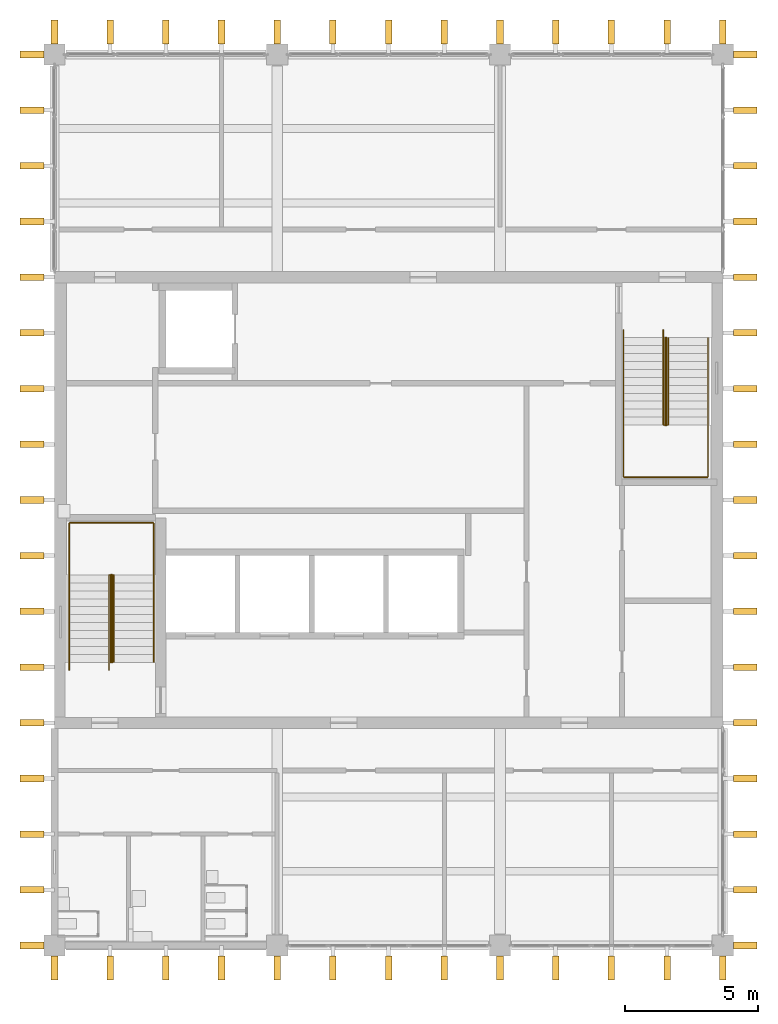
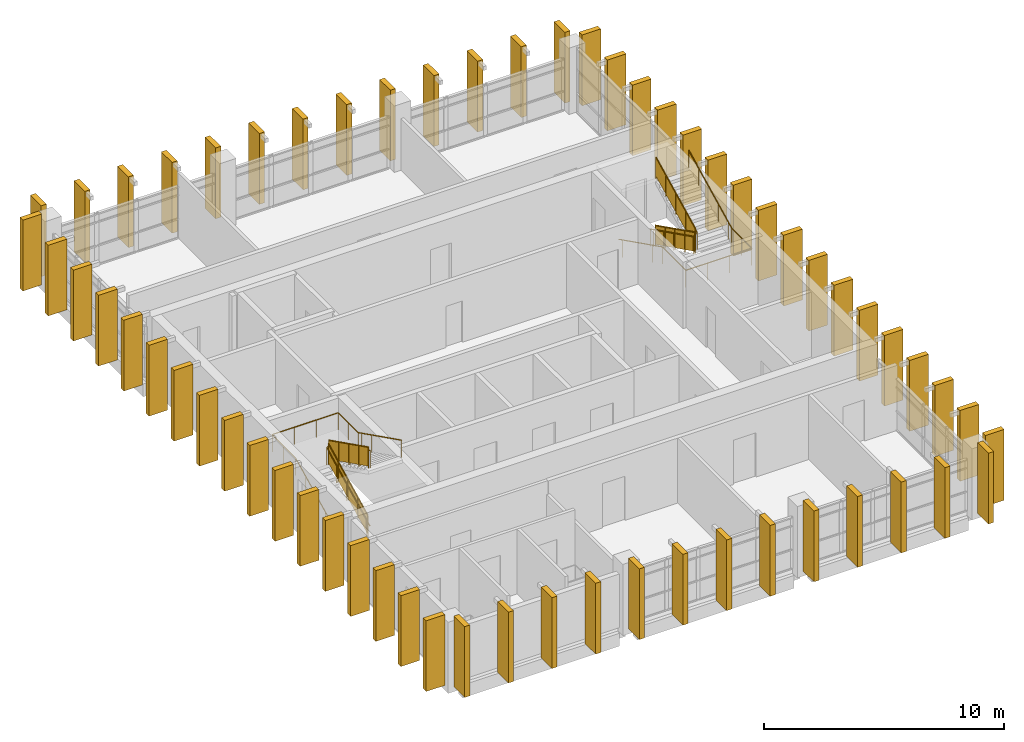
# One storey, part 10 of 11: 60 shading devices, 8 railings.
"""IFC4 building model written with IfcOpenShell, lengths in metres."""

from ifc_helpers import new_model, si_unit, direction, frame, origin, origin_2d, place, context, subcontext, project, spatial, polyline, rectangle, circle, outline, extrude, material, material_profile, profile_set, type_object, element, save


model = new_model("IFC4")

# Units and contexts
model_context = context("Model", 3, precision=1e-05, world=origin(), true_north=direction((0.0, 1.0)))
body_context = subcontext(model_context, "Body", "Model", "MODEL_VIEW")
ifc_project = project(units=[si_unit("LENGTHUNIT", "METRE"), si_unit("AREAUNIT", "SQUARE_METRE"), si_unit("VOLUMEUNIT", "CUBIC_METRE"), si_unit("PLANEANGLEUNIT", "RADIAN"), si_unit("MASSUNIT", "GRAM", prefix="KILO")], contexts=[model_context])

# Site, building, storey
site_placement = place(None, origin())
site = spatial("IfcSite", under=ifc_project, at=site_placement, CompositionType="ELEMENT")
building_placement = place(site_placement, origin())
building = spatial("IfcBuilding", under=site, at=building_placement, Name="Rulbaag Community and Learning Centre", CompositionType="ELEMENT")
storey_placement = place(building_placement, frame((0.0, 0.0, 36.0)))
storey = spatial("IfcBuildingStorey", under=building, at=storey_placement, Name="L09", CompositionType="ELEMENT", Elevation=36.0)

# Shading devices
ifc_material_1 = material(Name="Concrete M40", Category="concrete")
ifc_material_profile = material_profile(ifc_material_1, rectangle(XDim=0.25, YDim=0.89990234375, at=origin_2d()), Name="PC 250x900")
ifc_profile_set = profile_set([ifc_material_profile], Name="Concrete M40")
shading_device_type = type_object("IfcShadingDeviceType", Name="FIN-H", PredefinedType="JALOUSIE", material=ifc_profile_set)
for number, where, z_axis, x_axis, name in (
    (1, (142.800048828125, 83.14990234375, 0.0), (0.0, 0.0, 1.0), (1.0, 0.0, 0.0), "Precast fin"),
    (2, (144.89990234375, 83.14990234375, 0.0), (0.0, 0.0, 1.0), (1.0, 0.0, 0.0), "Precast fin"),
    (3, (147.0, 83.14990234375, 0.0), (0.0, 0.0, 1.0), (1.0, 0.0, 0.0), "Precast fin"),
    (4, (149.10009765625, 83.14990234375, 0.0), (0.0, 0.0, 1.0), (1.0, 0.0, 0.0), "Precast fin"),
    (5, (151.199951171875, 83.14990234375, 0.0), (0.0, 0.0, 1.0), (1.0, 0.0, 0.0), "Precast fin"),
    (6, (153.300048828125, 83.14990234375, 0.0), (0.0, 0.0, 1.0), (1.0, 0.0, 0.0), "Precast fin"),
    (7, (155.39990234375, 83.14990234375, 0.0), (0.0, 0.0, 1.0), (1.0, 0.0, 0.0), "Precast fin"),
    (8, (157.5, 83.14990234375, 0.0), (0.0, 0.0, 1.0), (1.0, 0.0, 0.0), "Precast fin"),
    (9, (159.60009765625, 83.14990234375, 0.0), (0.0, 0.0, 1.0), (1.0, 0.0, 0.0), "Precast fin"),
    (10, (161.699951171875, 83.14990234375, 0.0), (0.0, 0.0, 1.0), (1.0, 0.0, 0.0), "Precast fin"),
    (11, (163.800048828125, 83.14990234375, 0.0), (0.0, 0.0, 1.0), (1.0, 0.0, 0.0), "Precast fin"),
    (12, (165.89990234375, 83.14990234375, 0.0), (0.0, 0.0, 1.0), (1.0, 0.0, 0.0), "Precast fin"),
    (13, (168.0, 83.14990234375, 0.0), (0.0, 0.0, 1.0), (1.0, 0.0, 0.0), "Precast fin"),
    (14, (142.800048828125, 118.449951171875, 0.0), (0.0, 0.0, 1.0), (1.0, 0.0, 0.0), "Precast fin"),
    (15, (144.89990234375, 118.449951171875, 0.0), (0.0, 0.0, 1.0), (1.0, 0.0, 0.0), "Precast fin"),
    (16, (147.0, 118.449951171875, 0.0), (0.0, 0.0, 1.0), (1.0, 0.0, 0.0), "Precast fin"),
    (17, (149.10009765625, 118.449951171875, 0.0), (0.0, 0.0, 1.0), (1.0, 0.0, 0.0), "Precast fin"),
    (18, (151.199951171875, 118.449951171875, 0.0), (0.0, 0.0, 1.0), (1.0, 0.0, 0.0), "Precast fin"),
    (19, (153.300048828125, 118.449951171875, 0.0), (0.0, 0.0, 1.0), (1.0, 0.0, 0.0), "Precast fin"),
    (20, (155.39990234375, 118.449951171875, 0.0), (0.0, 0.0, 1.0), (1.0, 0.0, 0.0), "Precast fin"),
    (21, (157.5, 118.449951171875, 0.0), (0.0, 0.0, 1.0), (1.0, 0.0, 0.0), "Precast fin"),
    (22, (159.60009765625, 118.449951171875, 0.0), (0.0, 0.0, 1.0), (1.0, 0.0, 0.0), "Precast fin"),
    (23, (161.699951171875, 118.449951171875, 0.0), (0.0, 0.0, 1.0), (1.0, 0.0, 0.0), "Precast fin"),
    (24, (163.800048828125, 118.449951171875, 0.0), (0.0, 0.0, 1.0), (1.0, 0.0, 0.0), "Precast fin"),
    (25, (165.89990234375, 118.449951171875, 0.0), (0.0, 0.0, 1.0), (1.0, 0.0, 0.0), "Precast fin"),
    (26, (168.0, 118.449951171875, 0.0), (0.0, 0.0, 1.0), (1.0, 0.0, 0.0), "Precast fin"),
    (27, (141.949951171875, 84.0, 0.0), (0.0, 0.0, 1.0), (0.0, 1.0, 0.0), "Precast fin"),
    (28, (141.949951171875, 86.10009765625, 0.0), (0.0, 0.0, 1.0), (0.0, 1.0, 0.0), "Precast fin"),
    (29, (141.949951171875, 88.199951171875, 0.0), (0.0, 0.0, 1.0), (0.0, 1.0, 0.0), "Precast fin"),
    (30, (141.949951171875, 90.300048828125, 0.0), (0.0, 0.0, 1.0), (0.0, 1.0, 0.0), "Precast fin"),
    (31, (141.949951171875, 92.39990234375, 0.0), (0.0, 0.0, 1.0), (0.0, 1.0, 0.0), "Precast fin"),
    (32, (141.949951171875, 94.5, 0.0), (0.0, 0.0, 1.0), (0.0, 1.0, 0.0), "Precast fin"),
    (33, (141.949951171875, 96.60009765625, 0.0), (0.0, 0.0, 1.0), (0.0, 1.0, 0.0), "Precast fin"),
    (34, (141.949951171875, 98.699951171875, 0.0), (0.0, 0.0, 1.0), (0.0, 1.0, 0.0), "Precast fin"),
    (35, (141.949951171875, 100.800048828125, 0.0), (0.0, 0.0, 1.0), (0.0, 1.0, 0.0), "Precast fin"),
    (36, (141.949951171875, 102.89990234375, 0.0), (0.0, 0.0, 1.0), (0.0, 1.0, 0.0), "Precast fin"),
    (37, (141.949951171875, 105.0, 0.0), (0.0, 0.0, 1.0), (0.0, 1.0, 0.0), "Precast fin"),
    (38, (141.949951171875, 107.10009765625, 0.0), (0.0, 0.0, 1.0), (0.0, 1.0, 0.0), "Precast fin"),
    (39, (141.949951171875, 109.199951171875, 0.0), (0.0, 0.0, 1.0), (0.0, 1.0, 0.0), "Precast fin"),
    (40, (141.949951171875, 111.300048828125, 0.0), (0.0, 0.0, 1.0), (0.0, 1.0, 0.0), "Precast fin"),
    (41, (141.949951171875, 113.39990234375, 0.0), (0.0, 0.0, 1.0), (0.0, 1.0, 0.0), "Precast fin"),
    (42, (141.949951171875, 115.5, 0.0), (0.0, 0.0, 1.0), (0.0, 1.0, 0.0), "Precast fin"),
    (43, (141.949951171875, 117.60009765625, 0.0), (0.0, 0.0, 1.0), (0.0, 1.0, 0.0), "Precast fin"),
    (44, (168.85009765625, 84.0, 0.0), (0.0, 0.0, 1.0), (0.0, 1.0, 0.0), "Precast fin"),
    (45, (168.85009765625, 86.10009765625, 0.0), (0.0, 0.0, 1.0), (0.0, 1.0, 0.0), "Precast fin"),
    (46, (168.85009765625, 88.199951171875, 0.0), (0.0, 0.0, 1.0), (0.0, 1.0, 0.0), "Precast fin"),
    (47, (168.85009765625, 90.300048828125, 0.0), (0.0, 0.0, 1.0), (0.0, 1.0, 0.0), "Precast fin"),
    (48, (168.85009765625, 92.39990234375, 0.0), (0.0, 0.0, 1.0), (0.0, 1.0, 0.0), "Precast fin"),
    (49, (168.85009765625, 94.5, 0.0), (0.0, 0.0, 1.0), (0.0, 1.0, 0.0), "Precast fin"),
    (50, (168.85009765625, 96.60009765625, 0.0), (0.0, 0.0, 1.0), (0.0, 1.0, 0.0), "Precast fin"),
    (51, (168.85009765625, 98.699951171875, 0.0), (0.0, 0.0, 1.0), (0.0, 1.0, 0.0), "Precast fin"),
    (52, (168.85009765625, 100.800048828125, 0.0), (0.0, 0.0, 1.0), (0.0, 1.0, 0.0), "Precast fin"),
    (53, (168.85009765625, 102.89990234375, 0.0), (0.0, 0.0, 1.0), (0.0, 1.0, 0.0), "Precast fin"),
    (54, (168.85009765625, 105.0, 0.0), (0.0, 0.0, 1.0), (0.0, 1.0, 0.0), "Precast fin"),
    (55, (168.85009765625, 107.10009765625, 0.0), (0.0, 0.0, 1.0), (0.0, 1.0, 0.0), "Precast fin"),
    (56, (168.85009765625, 109.199951171875, 0.0), (0.0, 0.0, 1.0), (0.0, 1.0, 0.0), "Precast fin"),
    (57, (168.85009765625, 111.300048828125, 0.0), (0.0, 0.0, 1.0), (0.0, 1.0, 0.0), "Precast fin"),
    (58, (168.85009765625, 113.39990234375, 0.0), (0.0, 0.0, 1.0), (0.0, 1.0, 0.0), "Precast fin"),
    (59, (168.85009765625, 115.5, 0.0), (0.0, 0.0, 1.0), (0.0, 1.0, 0.0), "Precast fin"),
    (60, (168.85009765625, 117.60009765625, 0.0), (0.0, 0.0, 1.0), (0.0, 1.0, 0.0), "Precast fin"),
):
    element("IfcShadingDevice", number, at=place(storey_placement, frame(where, z_axis=z_axis, x_axis=x_axis)), inside=storey, type_object=shading_device_type, Name=name, PredefinedType="JALOUSIE", context=body_context, shape_type="SweptSolid", body=[
        extrude(rectangle(XDim=0.25, YDim=0.89990234375, at=origin_2d()), origin(), (0.0, 0.0, 1.0), 3.60009765625),
    ])

# Railings
ifc_material_2 = material(Name="Galvanised mild steel", Category="steel")
railing_type_1 = type_object("IfcRailingType", Name="GR-1100 GUARD 1100", PredefinedType="GUARDRAIL", material=ifc_material_2)
railing_1_placement = place(storey_placement, frame((144.929931640625, 94.675048828125, 0.14990234375)))
element("IfcRailing", 61, at=railing_1_placement, inside=storey, type_object=railing_type_1, Name="Guard ST1 L09 G", PredefinedType="GUARDRAIL", context=body_context, shape_type="SweptSolid", body=[
    extrude(circle(Radius=0.02490234375, at=origin_2d()), frame((0.0, 0.0, 1.0751953125), z_axis=(0.0, 0.894413956696, 0.447240063129), x_axis=(-1.0, 0.0, 0.0)), (0.0, 0.0, 1.0), 3.689697265625),
    extrude(circle(Radius=0.02001953125, at=origin_2d()), origin(), (0.0, 0.0, 1.0), 1.050048828125),
    extrude(circle(Radius=0.02001953125, at=origin_2d()), frame((0.0, 0.824951171875, 0.41259765625)), (0.0, 0.0, 1.0), 1.050048828125),
    extrude(circle(Radius=0.02001953125, at=origin_2d()), frame((0.0, 1.64990234375, 0.8251953125)), (0.0, 0.0, 1.0), 1.050048828125),
    extrude(circle(Radius=0.02001953125, at=origin_2d()), frame((0.0, 2.47509765625, 1.237548828125)), (0.0, 0.0, 1.0), 1.050048828125),
    extrude(circle(Radius=0.02001953125, at=origin_2d()), frame((0.0, 3.300048828125, 1.650146484375)), (0.0, 0.0, 1.0), 1.050048828125),
    extrude(outline(polyline([(0.0, 0.0), (3.300048828125, 1.650146484375), (3.300048828125, 2.60009765625), (0.0, 0.949951171875), (0.0, 0.0)])), frame((-0.0048828125, 0.0, 0.10009765625), z_axis=(1.0, 0.0, 0.0), x_axis=(0.0, 1.0, 0.0)), (0.0, 0.0, 1.0), 0.010009765625),
])
for number, where, name in (
    (62, (144.969970703125, 97.97509765625, 1.949951171875), "Guard ST1 L09 G2"),
    (63, (165.830078125, 106.925048828125, 0.14990234375), "Guard ST2 L09 G"),
):
    element("IfcRailing", number, at=place(storey_placement, frame(where)), inside=storey, type_object=railing_type_1, Name=name, PredefinedType="GUARDRAIL", context=body_context, shape_type="SweptSolid", body=[
        extrude(circle(Radius=0.02490234375, at=origin_2d()), frame((0.0, 0.0, 1.0751953125), z_axis=(0.0, -0.894413956696, 0.447240063129), x_axis=(1.0, 0.0, 0.0)), (0.0, 0.0, 1.0), 3.689697265625),
        extrude(circle(Radius=0.02001953125, at=origin_2d()), origin(), (0.0, 0.0, 1.0), 1.050048828125),
        extrude(circle(Radius=0.02001953125, at=origin_2d()), frame((0.0, -0.824951171875, 0.41259765625)), (0.0, 0.0, 1.0), 1.050048828125),
        extrude(circle(Radius=0.02001953125, at=origin_2d()), frame((0.0, -1.64990234375, 0.8251953125)), (0.0, 0.0, 1.0), 1.050048828125),
        extrude(circle(Radius=0.02001953125, at=origin_2d()), frame((0.0, -2.47509765625, 1.237548828125)), (0.0, 0.0, 1.0), 1.050048828125),
        extrude(circle(Radius=0.02001953125, at=origin_2d()), frame((0.0, -3.300048828125, 1.650146484375)), (0.0, 0.0, 1.0), 1.050048828125),
        extrude(outline(polyline([(0.0, 0.0), (3.300048828125, 1.650146484375), (3.300048828125, 2.60009765625), (0.0, 0.949951171875), (0.0, 0.0)])), frame((0.0048828125, 0.0, 0.10009765625), z_axis=(-1.0, 0.0, 0.0), x_axis=(0.0, -1.0, 0.0)), (0.0, 0.0, 1.0), 0.010009765625),
    ])
railing_2_placement = place(storey_placement, frame((165.8701171875, 103.625, 1.949951171875)))
element("IfcRailing", 64, at=railing_2_placement, inside=storey, type_object=railing_type_1, Name="Guard ST2 L09 G2", PredefinedType="GUARDRAIL", context=body_context, shape_type="SweptSolid", body=[
    extrude(circle(Radius=0.02490234375, at=origin_2d()), frame((0.0, 0.0, 1.0751953125), z_axis=(0.0, 0.894413956696, 0.447240063129), x_axis=(-1.0, 0.0, 0.0)), (0.0, 0.0, 1.0), 3.689697265625),
    extrude(circle(Radius=0.02001953125, at=origin_2d()), origin(), (0.0, 0.0, 1.0), 1.050048828125),
    extrude(circle(Radius=0.02001953125, at=origin_2d()), frame((0.0, 0.824951171875, 0.41259765625)), (0.0, 0.0, 1.0), 1.050048828125),
    extrude(circle(Radius=0.02001953125, at=origin_2d()), frame((0.0, 1.64990234375, 0.8251953125)), (0.0, 0.0, 1.0), 1.050048828125),
    extrude(circle(Radius=0.02001953125, at=origin_2d()), frame((0.0, 2.47509765625, 1.237548828125)), (0.0, 0.0, 1.0), 1.050048828125),
    extrude(circle(Radius=0.02001953125, at=origin_2d()), frame((0.0, 3.300048828125, 1.650146484375)), (0.0, 0.0, 1.0), 1.050048828125),
    extrude(outline(polyline([(0.0, 0.0), (3.300048828125, 1.650146484375), (3.300048828125, 2.60009765625), (0.0, 0.949951171875), (0.0, 0.0)])), frame((-0.0048828125, 0.0, 0.10009765625), z_axis=(1.0, 0.0, 0.0), x_axis=(0.0, 1.0, 0.0)), (0.0, 0.0, 1.0), 0.010009765625),
])
ifc_material_3 = material(Name="Stainless steel grade 316", Category="steel")
railing_type_2 = type_object("IfcRailingType", Name="HR-900 HANDRAIL 900", PredefinedType="HANDRAIL", material=ifc_material_3)
railing_3_placement = place(storey_placement, frame((143.360107421875, 94.375, 0.0)))
element("IfcRailing", 65, at=railing_3_placement, inside=storey, type_object=railing_type_2, Name="Handrail ST1 L09 O", PredefinedType="HANDRAIL", context=body_context, shape_type="SweptSolid", body=[
    extrude(circle(Radius=0.024169921875, at=origin_2d()), frame((0.0, 0.0, 0.875732421875), z_axis=(0.0, 0.894572720946, 0.446922417137), x_axis=(-1.0, 0.0, 0.0)), (0.0, 0.0, 1.0), 0.33544921875),
    extrude(circle(Radius=0.024169921875, at=origin_2d()), frame((0.0, 0.300048828125, 1.025634765625), z_axis=(0.0, 0.894413956696, 0.447240063129), x_axis=(-1.0, 0.0, 0.0)), (0.0, 0.0, 1.0), 3.689697265625),
    extrude(circle(Radius=0.024169921875, at=origin_2d()), frame((0.0, 3.60009765625, 2.67578125), z_axis=(0.0, 1.0, 0.0), x_axis=(-1.0, 0.0, 0.0)), (0.0, 0.0, 1.0), 1.96484375),
    extrude(circle(Radius=0.024169921875, at=origin_2d()), frame((0.0, 5.56494140625, 2.67578125), z_axis=(1.0, 0.0, 0.0), x_axis=(0.0, 1.0, 0.0)), (0.0, 0.0, 1.0), 3.179931640625),
    extrude(circle(Radius=0.024169921875, at=origin_2d()), frame((3.179931640625, 5.56494140625, 2.67578125), z_axis=(0.0, -1.0, 0.0), x_axis=(1.0, 0.0, 0.0)), (0.0, 0.0, 1.0), 1.6650390625),
    extrude(circle(Radius=0.024169921875, at=origin_2d()), frame((3.179931640625, 3.89990234375, 2.67578125), z_axis=(0.0, -0.894427191, 0.4472135955), x_axis=(1.0, 0.0, 0.0)), (0.0, 0.0, 1.0), 0.335205078125),
    extrude(circle(Radius=0.024169921875, at=origin_2d()), frame((3.179931640625, 3.60009765625, 2.82568359375), z_axis=(0.0, -0.894413956696, 0.447240063129), x_axis=(1.0, 0.0, 0.0)), (0.0, 0.0, 1.0), 3.689697265625),
    extrude(circle(Radius=0.008056640625, at=origin_2d()), origin(), (0.0, 0.0, 1.0), 0.8515625),
    extrude(circle(Radius=0.008056640625, at=origin_2d()), frame((0.0, 0.300048828125, 0.14990234375)), (0.0, 0.0, 1.0), 0.8515625),
    extrude(circle(Radius=0.008056640625, at=origin_2d()), frame((0.0, 1.125, 0.5625)), (0.0, 0.0, 1.0), 0.8515625),
    extrude(circle(Radius=0.008056640625, at=origin_2d()), frame((0.0, 1.9501953125, 0.97509765625)), (0.0, 0.0, 1.0), 0.8515625),
    extrude(circle(Radius=0.008056640625, at=origin_2d()), frame((0.0, 2.775146484375, 1.387451171875)), (0.0, 0.0, 1.0), 0.8515625),
    extrude(circle(Radius=0.008056640625, at=origin_2d()), frame((0.0, 3.60009765625, 1.800048828125)), (0.0, 0.0, 1.0), 0.8515625),
    extrude(circle(Radius=0.008056640625, at=origin_2d()), frame((0.0, 4.58251953125, 1.800048828125)), (0.0, 0.0, 1.0), 0.8515625),
    extrude(circle(Radius=0.008056640625, at=origin_2d()), frame((0.0, 5.56494140625, 1.800048828125)), (0.0, 0.0, 1.0), 0.8515625),
    extrude(circle(Radius=0.008056640625, at=origin_2d()), frame((1.06005859375, 5.56494140625, 1.800048828125)), (0.0, 0.0, 1.0), 0.8515625),
    extrude(circle(Radius=0.008056640625, at=origin_2d()), frame((2.119873046875, 5.56494140625, 1.800048828125)), (0.0, 0.0, 1.0), 0.8515625),
    extrude(circle(Radius=0.008056640625, at=origin_2d()), frame((3.179931640625, 5.56494140625, 1.800048828125)), (0.0, 0.0, 1.0), 0.8515625),
    extrude(circle(Radius=0.008056640625, at=origin_2d()), frame((3.179931640625, 4.732421875, 1.800048828125)), (0.0, 0.0, 1.0), 0.8515625),
    extrude(circle(Radius=0.008056640625, at=origin_2d()), frame((3.179931640625, 3.89990234375, 1.800048828125)), (0.0, 0.0, 1.0), 0.8515625),
    extrude(circle(Radius=0.008056640625, at=origin_2d()), frame((3.179931640625, 3.60009765625, 1.949951171875)), (0.0, 0.0, 1.0), 0.8515625),
    extrude(circle(Radius=0.008056640625, at=origin_2d()), frame((3.179931640625, 2.775146484375, 2.362548828125)), (0.0, 0.0, 1.0), 0.8515625),
    extrude(circle(Radius=0.008056640625, at=origin_2d()), frame((3.179931640625, 1.9501953125, 2.77490234375)), (0.0, 0.0, 1.0), 0.8515625),
    extrude(circle(Radius=0.008056640625, at=origin_2d()), frame((3.179931640625, 1.125, 3.1875)), (0.0, 0.0, 1.0), 0.8515625),
    extrude(circle(Radius=0.008056640625, at=origin_2d()), frame((3.179931640625, 0.300048828125, 3.60009765625)), (0.0, 0.0, 1.0), 0.8515625),
])
railing_4_placement = place(storey_placement, frame((144.860107421875, 94.375, 0.0)))
element("IfcRailing", 66, at=railing_4_placement, inside=storey, type_object=railing_type_2, Name="Handrail ST1 L09 I", PredefinedType="HANDRAIL", context=body_context, shape_type="SweptSolid", body=[
    extrude(circle(Radius=0.024169921875, at=origin_2d()), frame((0.0, 0.0, 0.875732421875), z_axis=(0.0, 0.894572720946, 0.446922417137), x_axis=(-1.0, 0.0, 0.0)), (0.0, 0.0, 1.0), 0.33544921875),
    extrude(circle(Radius=0.024169921875, at=origin_2d()), frame((0.0, 0.300048828125, 1.025634765625), z_axis=(0.0, 0.894413956696, 0.447240063129), x_axis=(-1.0, 0.0, 0.0)), (0.0, 0.0, 1.0), 3.689697265625),
    extrude(circle(Radius=0.024169921875, at=origin_2d()), frame((0.0, 3.60009765625, 2.67578125), z_axis=(0.768306721819, 0.0, 0.640081855084), x_axis=(0.0, 1.0, 0.0)), (0.0, 0.0, 1.0), 0.234130859375),
    extrude(circle(Radius=0.024169921875, at=origin_2d()), frame((0.179931640625, 3.60009765625, 2.82568359375), z_axis=(0.0, -0.894413956696, 0.447240063129), x_axis=(1.0, 0.0, 0.0)), (0.0, 0.0, 1.0), 3.689697265625),
    extrude(circle(Radius=0.008056640625, at=origin_2d()), origin(), (0.0, 0.0, 1.0), 0.8515625),
    extrude(circle(Radius=0.008056640625, at=origin_2d()), frame((0.0, 0.300048828125, 0.14990234375)), (0.0, 0.0, 1.0), 0.8515625),
    extrude(circle(Radius=0.008056640625, at=origin_2d()), frame((0.0, 1.125, 0.5625)), (0.0, 0.0, 1.0), 0.8515625),
    extrude(circle(Radius=0.008056640625, at=origin_2d()), frame((0.0, 1.9501953125, 0.97509765625)), (0.0, 0.0, 1.0), 0.8515625),
    extrude(circle(Radius=0.008056640625, at=origin_2d()), frame((0.0, 2.775146484375, 1.387451171875)), (0.0, 0.0, 1.0), 0.8515625),
    extrude(circle(Radius=0.008056640625, at=origin_2d()), frame((0.0, 3.60009765625, 1.800048828125)), (0.0, 0.0, 1.0), 0.8515625),
    extrude(circle(Radius=0.008056640625, at=origin_2d()), frame((0.179931640625, 3.60009765625, 1.949951171875)), (0.0, 0.0, 1.0), 0.8515625),
    extrude(circle(Radius=0.008056640625, at=origin_2d()), frame((0.179931640625, 2.775146484375, 2.362548828125)), (0.0, 0.0, 1.0), 0.8515625),
    extrude(circle(Radius=0.008056640625, at=origin_2d()), frame((0.179931640625, 1.9501953125, 2.77490234375)), (0.0, 0.0, 1.0), 0.8515625),
    extrude(circle(Radius=0.008056640625, at=origin_2d()), frame((0.179931640625, 1.125, 3.1875)), (0.0, 0.0, 1.0), 0.8515625),
    extrude(circle(Radius=0.008056640625, at=origin_2d()), frame((0.179931640625, 0.300048828125, 3.60009765625)), (0.0, 0.0, 1.0), 0.8515625),
])
railing_5_placement = place(storey_placement, frame((164.260009765625, 107.22509765625, 0.0)))
element("IfcRailing", 67, at=railing_5_placement, inside=storey, type_object=railing_type_2, Name="Handrail ST2 L09 O", PredefinedType="HANDRAIL", context=body_context, shape_type="SweptSolid", body=[
    extrude(circle(Radius=0.024169921875, at=origin_2d()), frame((0.0, 0.0, 0.875732421875), z_axis=(0.0, -0.894572720946, 0.446922417137), x_axis=(1.0, 0.0, 0.0)), (0.0, 0.0, 1.0), 0.33544921875),
    extrude(circle(Radius=0.024169921875, at=origin_2d()), frame((0.0, -0.300048828125, 1.025634765625), z_axis=(0.0, -0.894413956696, 0.447240063129), x_axis=(1.0, 0.0, 0.0)), (0.0, 0.0, 1.0), 3.689697265625),
    extrude(circle(Radius=0.024169921875, at=origin_2d()), frame((0.0, -3.60009765625, 2.67578125), z_axis=(0.0, -1.0, 0.0), x_axis=(1.0, 0.0, 0.0)), (0.0, 0.0, 1.0), 1.965087890625),
    extrude(circle(Radius=0.024169921875, at=origin_2d()), frame((0.0, -5.565185546875, 2.67578125), z_axis=(1.0, 0.0, 0.0), x_axis=(0.0, 1.0, 0.0)), (0.0, 0.0, 1.0), 3.179931640625),
    extrude(circle(Radius=0.024169921875, at=origin_2d()), frame((3.179931640625, -5.565185546875, 2.67578125), z_axis=(0.0, 1.0, 0.0), x_axis=(-1.0, 0.0, 0.0)), (0.0, 0.0, 1.0), 1.6650390625),
    extrude(circle(Radius=0.024169921875, at=origin_2d()), frame((3.179931640625, -3.900146484375, 2.67578125), z_axis=(0.0, 0.894572720946, 0.446922417137), x_axis=(-1.0, 0.0, 0.0)), (0.0, 0.0, 1.0), 0.33544921875),
    extrude(circle(Radius=0.024169921875, at=origin_2d()), frame((3.179931640625, -3.60009765625, 2.82568359375), z_axis=(0.0, 0.894413956696, 0.447240063129), x_axis=(-1.0, 0.0, 0.0)), (0.0, 0.0, 1.0), 3.689697265625),
    extrude(circle(Radius=0.008056640625, at=origin_2d()), origin(), (0.0, 0.0, 1.0), 0.8515625),
    extrude(circle(Radius=0.008056640625, at=origin_2d()), frame((0.0, -0.300048828125, 0.14990234375)), (0.0, 0.0, 1.0), 0.8515625),
    extrude(circle(Radius=0.008056640625, at=origin_2d()), frame((0.0, -1.125, 0.5625)), (0.0, 0.0, 1.0), 0.8515625),
    extrude(circle(Radius=0.008056640625, at=origin_2d()), frame((0.0, -1.9501953125, 0.97509765625)), (0.0, 0.0, 1.0), 0.8515625),
    extrude(circle(Radius=0.008056640625, at=origin_2d()), frame((0.0, -2.775146484375, 1.387451171875)), (0.0, 0.0, 1.0), 0.8515625),
    extrude(circle(Radius=0.008056640625, at=origin_2d()), frame((0.0, -3.60009765625, 1.800048828125)), (0.0, 0.0, 1.0), 0.8515625),
    extrude(circle(Radius=0.008056640625, at=origin_2d()), frame((0.0, -4.58251953125, 1.800048828125)), (0.0, 0.0, 1.0), 0.8515625),
    extrude(circle(Radius=0.008056640625, at=origin_2d()), frame((0.0, -5.565185546875, 1.800048828125)), (0.0, 0.0, 1.0), 0.8515625),
    extrude(circle(Radius=0.008056640625, at=origin_2d()), frame((1.06005859375, -5.565185546875, 1.800048828125)), (0.0, 0.0, 1.0), 0.8515625),
    extrude(circle(Radius=0.008056640625, at=origin_2d()), frame((2.119873046875, -5.565185546875, 1.800048828125)), (0.0, 0.0, 1.0), 0.8515625),
    extrude(circle(Radius=0.008056640625, at=origin_2d()), frame((3.179931640625, -5.565185546875, 1.800048828125)), (0.0, 0.0, 1.0), 0.8515625),
    extrude(circle(Radius=0.008056640625, at=origin_2d()), frame((3.179931640625, -4.732666015625, 1.800048828125)), (0.0, 0.0, 1.0), 0.8515625),
    extrude(circle(Radius=0.008056640625, at=origin_2d()), frame((3.179931640625, -3.900146484375, 1.800048828125)), (0.0, 0.0, 1.0), 0.8515625),
    extrude(circle(Radius=0.008056640625, at=origin_2d()), frame((3.179931640625, -3.60009765625, 1.949951171875)), (0.0, 0.0, 1.0), 0.8515625),
    extrude(circle(Radius=0.008056640625, at=origin_2d()), frame((3.179931640625, -2.775146484375, 2.362548828125)), (0.0, 0.0, 1.0), 0.8515625),
    extrude(circle(Radius=0.008056640625, at=origin_2d()), frame((3.179931640625, -1.9501953125, 2.77490234375)), (0.0, 0.0, 1.0), 0.8515625),
    extrude(circle(Radius=0.008056640625, at=origin_2d()), frame((3.179931640625, -1.125, 3.1875)), (0.0, 0.0, 1.0), 0.8515625),
    extrude(circle(Radius=0.008056640625, at=origin_2d()), frame((3.179931640625, -0.300048828125, 3.60009765625)), (0.0, 0.0, 1.0), 0.8515625),
])
railing_6_placement = place(storey_placement, frame((165.760009765625, 107.22509765625, 0.0)))
element("IfcRailing", 68, at=railing_6_placement, inside=storey, type_object=railing_type_2, Name="Handrail ST2 L09 I", PredefinedType="HANDRAIL", context=body_context, shape_type="SweptSolid", body=[
    extrude(circle(Radius=0.024169921875, at=origin_2d()), frame((0.0, 0.0, 0.875732421875), z_axis=(0.0, -0.894572720946, 0.446922417137), x_axis=(1.0, 0.0, 0.0)), (0.0, 0.0, 1.0), 0.33544921875),
    extrude(circle(Radius=0.024169921875, at=origin_2d()), frame((0.0, -0.300048828125, 1.025634765625), z_axis=(0.0, -0.894413956696, 0.447240063129), x_axis=(1.0, 0.0, 0.0)), (0.0, 0.0, 1.0), 3.689697265625),
    extrude(circle(Radius=0.024169921875, at=origin_2d()), frame((0.0, -3.60009765625, 2.67578125), z_axis=(0.768306721819, 0.0, 0.640081855084), x_axis=(0.0, 1.0, 0.0)), (0.0, 0.0, 1.0), 0.234130859375),
    extrude(circle(Radius=0.024169921875, at=origin_2d()), frame((0.179931640625, -3.60009765625, 2.82568359375), z_axis=(0.0, 0.894413956696, 0.447240063129), x_axis=(-1.0, 0.0, 0.0)), (0.0, 0.0, 1.0), 3.689697265625),
    extrude(circle(Radius=0.008056640625, at=origin_2d()), origin(), (0.0, 0.0, 1.0), 0.8515625),
    extrude(circle(Radius=0.008056640625, at=origin_2d()), frame((0.0, -0.300048828125, 0.14990234375)), (0.0, 0.0, 1.0), 0.8515625),
    extrude(circle(Radius=0.008056640625, at=origin_2d()), frame((0.0, -1.125, 0.5625)), (0.0, 0.0, 1.0), 0.8515625),
    extrude(circle(Radius=0.008056640625, at=origin_2d()), frame((0.0, -1.9501953125, 0.97509765625)), (0.0, 0.0, 1.0), 0.8515625),
    extrude(circle(Radius=0.008056640625, at=origin_2d()), frame((0.0, -2.775146484375, 1.387451171875)), (0.0, 0.0, 1.0), 0.8515625),
    extrude(circle(Radius=0.008056640625, at=origin_2d()), frame((0.0, -3.60009765625, 1.800048828125)), (0.0, 0.0, 1.0), 0.8515625),
    extrude(circle(Radius=0.008056640625, at=origin_2d()), frame((0.179931640625, -3.60009765625, 1.949951171875)), (0.0, 0.0, 1.0), 0.8515625),
    extrude(circle(Radius=0.008056640625, at=origin_2d()), frame((0.179931640625, -2.775146484375, 2.362548828125)), (0.0, 0.0, 1.0), 0.8515625),
    extrude(circle(Radius=0.008056640625, at=origin_2d()), frame((0.179931640625, -1.9501953125, 2.77490234375)), (0.0, 0.0, 1.0), 0.8515625),
    extrude(circle(Radius=0.008056640625, at=origin_2d()), frame((0.179931640625, -1.125, 3.1875)), (0.0, 0.0, 1.0), 0.8515625),
    extrude(circle(Radius=0.008056640625, at=origin_2d()), frame((0.179931640625, -0.300048828125, 3.60009765625)), (0.0, 0.0, 1.0), 0.8515625),
])

save(model, "model.ifc")
